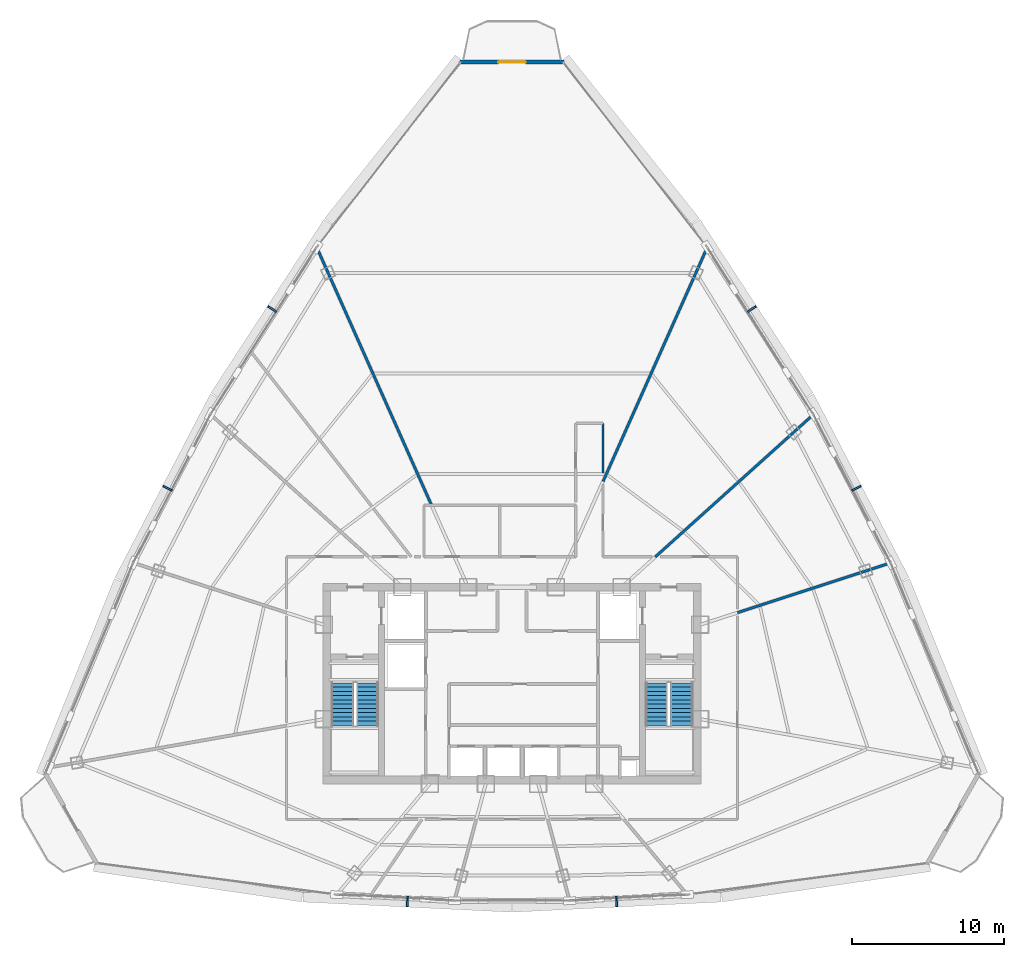
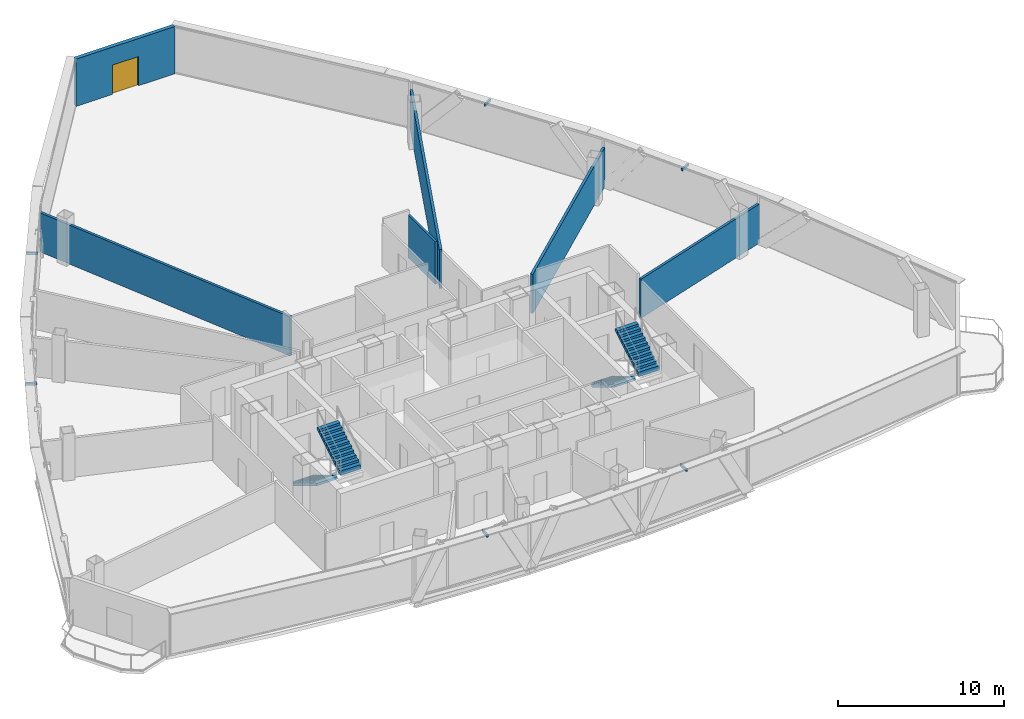
# One storey, part 32 of 35: 6 discrete accessories, 6 walls, 4 stair flights, 1 door, 1 opening, 2 elements without a shape of their own.
"""IFC4 building model written with IfcOpenShell, lengths in metres."""

import ifcopenshell
import ifcopenshell.guid

model = None  # the IFC model being written
_history = None  # IfcOwnerHistory: only IFC2X3 demands one
_inside = {}  # id of a spatial element -> (the spatial element, [elements in it])
_under = {}  # id of a project, library or spatial element -> (it, [spatial elements below it])
_declared = {}  # id of a project -> (the project, [libraries it declares])
_typed = {}  # id of a type object -> (the type object, [elements of that type])
_made_of = {}  # id of a material, layer set ... -> (it, [elements and type objects made of it])


def new_model(schema):
    """Start an empty IFC model of exactly this schema.

    Asked for "IFC4X3", IfcOpenShell would pick the latest addendum, in which some entities
    have other attributes; the version numbers below select the first issue.
    IFC2X3 requires an IfcOwnerHistory on every rooted entity: one is made here for all.
    """
    global model, _history
    if schema == "IFC4X3":
        model = ifcopenshell.file(schema_version=(4, 3, 0, 0))
    else:
        model = ifcopenshell.file(schema=schema)
    _inside.clear()
    _under.clear()
    _declared.clear()
    _typed.clear()
    _made_of.clear()
    _history = None
    if model.schema == "IFC2X3":
        org = make("IfcOrganization", Name="unknown")
        user = make(
            "IfcPersonAndOrganization",
            ThePerson=make("IfcPerson", FamilyName="unknown"),
            TheOrganization=org,
        )
        app = make(
            "IfcApplication",
            ApplicationDeveloper=org,
            Version="unknown",
            ApplicationFullName="unknown",
            ApplicationIdentifier="unknown",
        )
        _history = make(
            "IfcOwnerHistory",
            OwningUser=user,
            OwningApplication=app,
            ChangeAction="ADDED",
            CreationDate=0,
        )
    return model


def make(cls, **values):
    """One entity of the class cls with the attributes given. An attribute that is None is left unset."""
    return model.create_entity(
        cls, **{name: value for name, value in values.items() if value is not None}
    )


def rooted(cls, **values):
    """An entity with a GlobalId (a new one), such as an element, a storey or a relation."""
    return make(cls, GlobalId=ifcopenshell.guid.new(), OwnerHistory=_history, **values)


def si_unit(unit_type, name, prefix=None):
    """IfcSIUnit, for example si_unit("LENGTHUNIT", "METRE", prefix="MILLI")."""
    return make("IfcSIUnit", UnitType=unit_type, Prefix=prefix, Name=name)


def assignment(units):
    """IfcUnitAssignment: the units of a project."""
    return None if units is None else make("IfcUnitAssignment", Units=units)


def point(xyz):
    """IfcCartesianPoint."""
    return None if xyz is None else make("IfcCartesianPoint", Coordinates=xyz)


def direction(xyz):
    """IfcDirection."""
    return None if xyz is None else make("IfcDirection", DirectionRatios=xyz)


def frame(location, z_axis=None, x_axis=None):
    """IfcAxis2Placement3D, a coordinate frame: its origin and axes. An axis left out is left unset."""
    return make(
        "IfcAxis2Placement3D",
        Location=point(location),
        Axis=direction(z_axis),
        RefDirection=direction(x_axis),
    )


def frame_2d(location, x_axis=None):
    """IfcAxis2Placement2D, a coordinate frame in the plane: its origin and x axis."""
    return make(
        "IfcAxis2Placement2D", Location=point(location), RefDirection=direction(x_axis)
    )


def origin():
    """The frame at (0, 0, 0) with its axes left unset."""
    return frame((0.0, 0.0, 0.0))


def origin_with_axes():
    """The frame at (0, 0, 0) with the z axis (0, 0, 1) and the x axis (1, 0, 0) written out."""
    return frame((0.0, 0.0, 0.0), z_axis=(0.0, 0.0, 1.0), x_axis=(1.0, 0.0, 0.0))


def origin_2d():
    """The frame at (0, 0) in the plane with its x axis left unset."""
    return frame_2d((0.0, 0.0))


def place(relative_to, where):
    """IfcLocalPlacement: puts the frame where relative to a parent placement (None: the world)."""
    return make(
        "IfcLocalPlacement", PlacementRelTo=relative_to, RelativePlacement=where
    )


def context(
    kind, dimensions, precision=None, world=None, true_north=None, identifier=None
):
    """IfcGeometricRepresentationContext, for example the 3D "Model" context."""
    return make(
        "IfcGeometricRepresentationContext",
        ContextIdentifier=identifier,
        ContextType=kind,
        CoordinateSpaceDimension=dimensions,
        Precision=precision,
        WorldCoordinateSystem=world,
        TrueNorth=true_north,
    )


def subcontext(parent, identifier, kind, view, scale=None):
    """IfcGeometricRepresentationSubContext, for example "Body" below "Model"."""
    return make(
        "IfcGeometricRepresentationSubContext",
        ContextIdentifier=identifier,
        ContextType=kind,
        ParentContext=parent,
        TargetScale=scale,
        TargetView=view,
    )


def project(units=None, contexts=None):
    """IfcProject with its units and contexts."""
    return rooted(
        "IfcProject",
        Name="project",
        RepresentationContexts=contexts,
        UnitsInContext=assignment(units),
    )


def spatial(cls, under=None, at=None, **own):
    """A site, building, storey or space (cls), placed at a placement, below another one or the project."""
    s = rooted(cls, ObjectPlacement=at, **own)
    if under is not None:
        _under.setdefault(under.id(), (under, []))[1].append(s)
    return s


def polyline(points):
    """IfcPolyline through the points."""
    return make("IfcPolyline", Points=[point(p) for p in points])


def profile(cls, at=None, kind="AREA", **sizes):
    """A parametric profile (cls). Its sizes go by their IFC names, for example OverallWidth=200.0."""
    return make(cls, ProfileType=kind, Position=at, **sizes)


def rectangle(**sizes):
    """IfcRectangleProfileDef."""
    return profile("IfcRectangleProfileDef", **sizes)


def outline(outer, holes=None, kind="AREA"):
    """IfcArbitraryClosedProfileDef: a profile drawn as a closed curve; with holes, ...WithVoids."""
    if holes is None:
        return make("IfcArbitraryClosedProfileDef", ProfileType=kind, OuterCurve=outer)
    return make(
        "IfcArbitraryProfileDefWithVoids",
        ProfileType=kind,
        OuterCurve=outer,
        InnerCurves=holes,
    )


def extrude(swept, where, along, depth):
    """IfcExtrudedAreaSolid: the profile swept, set in the frame where, extruded along a direction by depth."""
    return make(
        "IfcExtrudedAreaSolid",
        SweptArea=swept,
        Position=where,
        ExtrudedDirection=direction(along),
        Depth=depth,
    )


def shape(context_of_items, identifier, shape_type, items):
    """IfcShapeRepresentation: the items that make up one representation, for example the "Body"."""
    return make(
        "IfcShapeRepresentation",
        ContextOfItems=context_of_items,
        RepresentationIdentifier=identifier,
        RepresentationType=shape_type,
        Items=items,
    )


def source(mapping_origin, context_of_items, identifier, shape_type, items):
    """IfcRepresentationMap: a shape defined once, which mapped items show again and again."""
    return make(
        "IfcRepresentationMap",
        MappingOrigin=mapping_origin,
        MappedRepresentation=shape(context_of_items, identifier, shape_type, items),
    )


def transform(
    local_origin,
    x_axis=None,
    y_axis=None,
    z_axis=None,
    scale=None,
    scale2=None,
    scale3=None,
    uniform=True,
):
    """IfcCartesianTransformationOperator3D, or its non-uniform kind. x_axis, y_axis, z_axis: its Axis1, 2, 3."""
    if uniform:
        return make(
            "IfcCartesianTransformationOperator3D",
            Axis1=direction(x_axis),
            Axis2=direction(y_axis),
            LocalOrigin=point(local_origin),
            Scale=scale,
            Axis3=direction(z_axis),
        )
    return make(
        "IfcCartesianTransformationOperator3DnonUniform",
        Axis1=direction(x_axis),
        Axis2=direction(y_axis),
        LocalOrigin=point(local_origin),
        Scale=scale,
        Axis3=direction(z_axis),
        Scale2=scale2,
        Scale3=scale3,
    )


def mapped(mapping_source, mapping_target):
    """IfcMappedItem: shows the shape of a source again, moved by a transform."""
    return make(
        "IfcMappedItem", MappingSource=mapping_source, MappingTarget=mapping_target
    )


def material(Name=None, Category=None):
    """IfcMaterial."""
    return make("IfcMaterial", Name=Name, Category=Category)


def layer(
    of_material, thickness, ventilated=None, Name=None, Category=None, Priority=None
):
    """IfcMaterialLayer: one layer of a wall or slab, of a material (None: an air gap)."""
    return make(
        "IfcMaterialLayer",
        Material=of_material,
        LayerThickness=thickness,
        IsVentilated=ventilated,
        Name=Name,
        Category=Category,
        Priority=Priority,
    )


def layer_set(layers, Name=None):
    """IfcMaterialLayerSet."""
    return make("IfcMaterialLayerSet", MaterialLayers=layers, LayerSetName=Name)


def made_of(thing, what):
    """Note that an element or type object is made of a material, layer set ...; save() writes the relation."""
    if what is not None:
        _made_of.setdefault(what.id(), (what, []))[1].append(thing)
    return thing


def type_object(cls, material=None, **own):
    """A type object (cls), such as IfcWallType, which elements share."""
    return made_of(rooted(cls, **own), material)


def element(
    cls,
    number,
    at=None,
    inside=None,
    cuts=None,
    type_object=None,
    material=None,
    context=None,
    identifier="Body",
    shape_type=None,
    held_by="IfcProductDefinitionShape",
    body=None,
    shapes=None,
    **own,
):
    """One element of the class cls, such as IfcWall. Its Tag is "e" and its number.

    at: its placement. inside: the storey or other place that contains it. cuts: it is an
    opening in that element (IfcRelVoidsElement). A single representation is given by context,
    identifier, shape_type and body (its items); several are given by shapes. held_by: the class
    of the entity that holds the representations. save() writes the other relations.
    """
    e = rooted(cls, Tag="e%d" % number, ObjectPlacement=at, **own)
    if body is not None:
        shapes = [shape(context, identifier, shape_type, body)]
    if shapes is not None:
        e.Representation = make(held_by, Representations=shapes)
    if inside is not None:
        _inside.setdefault(inside.id(), (inside, []))[1].append(e)
    if cuts is not None:
        rooted(
            "IfcRelVoidsElement", RelatingBuildingElement=cuts, RelatedOpeningElement=e
        )
    if type_object is not None:
        _typed.setdefault(type_object.id(), (type_object, []))[1].append(e)
    return made_of(e, material)


def fill(opening, filler):
    """IfcRelFillsElement: the door or window that sits in an opening."""
    return rooted(
        "IfcRelFillsElement",
        RelatingOpeningElement=opening,
        RelatedBuildingElement=filler,
    )


def aggregate(whole, parts):
    """IfcRelAggregates: a whole, such as a stair, and the parts it consists of."""
    return rooted("IfcRelAggregates", RelatingObject=whole, RelatedObjects=parts)


def save(model, path):
    """Write the relations noted so far, then the file.

    IfcRelAggregates (storeys below a building ...), IfcRelContainedInSpatialStructure (elements
    in a storey), IfcRelDefinesByType, IfcRelAssociatesMaterial and IfcRelDeclares: one each for
    every whole, place, type object, material and project.
    """
    for whole, parts in _under.values():
        aggregate(whole, parts)
    for where, things in _inside.values():
        rooted(
            "IfcRelContainedInSpatialStructure",
            RelatedElements=things,
            RelatingStructure=where,
        )
    for kind, things in _typed.values():
        rooted("IfcRelDefinesByType", RelatedObjects=things, RelatingType=kind)
    for what, things in _made_of.values():
        rooted("IfcRelAssociatesMaterial", RelatedObjects=things, RelatingMaterial=what)
    for by, libraries in _declared.values():
        rooted("IfcRelDeclares", RelatingContext=by, RelatedDefinitions=libraries)
    model.write(path)


model = new_model("IFC4")

# Units and contexts
model_context = context("Model", 3, precision=1e-05, world=origin(), true_north=direction((0.0, 1.0)))
body_context = subcontext(model_context, "Body", "Model", "MODEL_VIEW")
ifc_project = project(units=[si_unit("LENGTHUNIT", "METRE"), si_unit("AREAUNIT", "SQUARE_METRE"), si_unit("VOLUMEUNIT", "CUBIC_METRE"), si_unit("PLANEANGLEUNIT", "RADIAN"), si_unit("MASSUNIT", "GRAM", prefix="KILO"), si_unit("THERMODYNAMICTEMPERATUREUNIT", "KELVIN"), si_unit("POWERUNIT", "WATT")], contexts=[model_context])

# Site, building, storey
site_placement = place(None, origin())
site = spatial("IfcSite", under=ifc_project, at=site_placement, CompositionType="ELEMENT")
building_placement = place(site_placement, origin())
building = spatial("IfcBuilding", under=site, at=building_placement, Name="Yunzhuo Pagoda Commons", CompositionType="ELEMENT")
storey_placement = place(building_placement, frame((0.0, 0.0, 303.669921875)))
storey = spatial("IfcBuildingStorey", under=building, at=storey_placement, Name="L76", CompositionType="ELEMENT", Elevation=303.669921875)

# Wall, opening, door
ifc_material_1 = material(Name="Precast concrete C40", Category="concrete")
ifc_layer_1 = layer(ifc_material_1, 0.260009765625)
ifc_layer_set_1 = layer_set([ifc_layer_1], Name="Precast concrete C40")
wall_type_1 = type_object("IfcWallType", Name="W-BAL1 Corner Balcony Threshold Wall 260", PredefinedType="STANDARD", material=ifc_layer_set_1)
wall_1_placement = place(storey_placement, frame((51.437744140625, 74.7880859375, 0.0), z_axis=(0.0, 0.0, 1.0), x_axis=(-1.0, 0.0, 0.0)))
wall_1 = element("IfcWall", 1, at=wall_1_placement, inside=storey, type_object=wall_type_1, Name="L76 corner balcony wall V3", PredefinedType="STANDARD", context=body_context, shape_type="SweptSolid", body=[
    extrude(rectangle(XDim=6.87548828125, YDim=0.260009765625, at=frame_2d((3.437744140625, 0.0))), origin(), (0.0, 0.0, 1.0), 3.469970703125),
])
opening_placement = place(wall_1_placement, frame((2.537841796875, 0.0, 0.0)))
opening = element("IfcOpeningElement", 2, at=opening_placement, cuts=wall_1, Name="Opening D-BAL1", PredefinedType="OPENING", context=body_context, shape_type="SweptSolid", body=[
    extrude(rectangle(XDim=1.800048828125, YDim=2.14990234375, at=frame_2d((0.89990234375, 1.074951171875))), frame((0.0, 0.14013671875, 0.0), z_axis=(0.0, -1.0, 0.0), x_axis=(1.0, 0.0, 0.0)), (0.0, 0.0, 1.0), 0.280029296875),
])
ifc_material_2 = material(Name="Anodized aluminium frame and tempered glazed leaf", Category="aluminium")
door_type = type_object("IfcDoorType", Name="D-BAL1 Corner Balcony Sliding Glazed Door 1800x2150", OperationType="DOUBLE_DOOR_SLIDING", PredefinedType="DOOR", material=ifc_material_2)
shared_shape_1 = source(origin(), body_context, "Body", "SweptSolid", [
    extrude(rectangle(XDim=1.800048828125, YDim=2.14990234375, at=frame_2d((0.89990234375, 1.074951171875))), frame((0.0, 0.02490234375, 0.0), z_axis=(0.0, -1.0, 0.0), x_axis=(1.0, 0.0, 0.0)), (0.0, 0.0, 1.0), 0.050048828125),
])
door_placement = place(opening_placement, origin_with_axes())
door = element("IfcDoor", 3, at=door_placement, inside=storey, type_object=door_type, Name="L76 corner balcony sliding door V3", OperationType="DOUBLE_DOOR_SLIDING", OverallHeight=2.14990234375, OverallWidth=1.800048828125, PredefinedType="DOOR", context=body_context, shape_type="MappedRepresentation", body=[
    mapped(shared_shape_1, transform((0.0, 0.0, 0.0), scale=1.0)),
])
fill(opening, door)

# Walls
ifc_material_3 = material(Name="Gypsum plasterboard on acoustic stud")
ifc_layer_2 = layer(ifc_material_3, 0.14990234375)
ifc_layer_set_2 = layer_set([ifc_layer_2], Name="Gypsum plasterboard on acoustic stud")
wall_type_2 = type_object("IfcWallType", Name="W-COR3 High-Zone Rated Corridor Wall 150", PredefinedType="PARTITIONING", material=ifc_layer_set_2)
wall_2_placement = place(storey_placement, frame((54.0, 51.0, 0.0), z_axis=(0.0, 0.0, 1.0), x_axis=(0.0, -1.0, 0.0)))
element("IfcWall", 4, at=wall_2_placement, inside=storey, type_object=wall_type_2, Name="L76 interior wall IW-L76-CWL09", PredefinedType="PARTITIONING", context=body_context, shape_type="SweptSolid", body=[
    extrude(rectangle(XDim=3.282958984375, YDim=0.14990234375, at=frame_2d((1.6416015625, 0.0))), origin(), (0.0, 0.0, 1.0), 3.1201171875),
])
ifc_layer_3 = layer(ifc_material_3, 0.169921875)
ifc_layer_set_3 = layer_set([ifc_layer_3], Name="Gypsum plasterboard on acoustic stud")
wall_type_3 = type_object("IfcWallType", Name="W-PRT4 High-Zone Demising Wall 170", PredefinedType="PARTITIONING", material=ifc_layer_set_3)
wall_3_placement = place(storey_placement, frame((62.85009765625, 38.525146484375, 0.0), z_axis=(0.0, 0.0, 1.0), x_axis=(0.951060589798, 0.309004457141, 0.0)))
element("IfcWall", 5, at=wall_3_placement, inside=storey, type_object=wall_type_3, Name="L76 interior wall IW-L76-RAD01", PredefinedType="PARTITIONING", context=body_context, shape_type="SweptSolid", body=[
    extrude(rectangle(XDim=10.61962890625, YDim=0.169921875, at=frame_2d((5.309814453125, 0.0))), origin(), (0.0, 0.0, 1.0), 2.8701171875),
])
wall_4_placement = place(storey_placement, frame((57.440185546875, 42.199951171875, 0.0), z_axis=(0.0, 0.0, 1.0), x_axis=(0.74314439151, 0.669131088329, 0.0)))
element("IfcWall", 6, at=wall_4_placement, inside=storey, type_object=wall_type_3, Name="L76 interior wall IW-L76-RAD02", PredefinedType="PARTITIONING", context=body_context, shape_type="SweptSolid", body=[
    extrude(rectangle(XDim=14.025634765625, YDim=0.169921875, at=frame_2d((7.0126953125, 0.0))), origin(), (0.0, 0.0, 1.0), 2.8701171875),
])
wall_5_placement = place(storey_placement, frame((54.0, 47.17626953125, 0.0), z_axis=(0.0, 0.0, 1.0), x_axis=(0.406741029061, 0.913543504863, 0.0)))
element("IfcWall", 7, at=wall_5_placement, inside=storey, type_object=wall_type_3, Name="L76 interior wall IW-L76-RAD03", PredefinedType="PARTITIONING", context=body_context, shape_type="SweptSolid", body=[
    extrude(rectangle(XDim=16.876953125, YDim=0.169921875, at=frame_2d((8.4384765625, 0.0))), origin(), (0.0, 0.0, 1.0), 2.8701171875),
])
wall_6_placement = place(storey_placement, frame((42.701904296875, 45.60009765625, 0.0), z_axis=(0.0, 0.0, 1.0), x_axis=(-0.406747233578, 0.913540742374, 0.0)))
element("IfcWall", 8, at=wall_6_placement, inside=storey, type_object=wall_type_3, Name="L76 interior wall IW-L76-RAD04", PredefinedType="PARTITIONING", context=body_context, shape_type="SweptSolid", body=[
    extrude(rectangle(XDim=18.602294921875, YDim=0.169921875, at=frame_2d((9.30126953125, 0.0))), origin(), (0.0, 0.0, 1.0), 2.8701171875),
])

# Stair, stair flights
ifc_material_4 = material(Name="Concrete C40", Category="concrete")
stair_type_1 = type_object("IfcStairType", Name="ST-C1 Core Smokeproof Stair ST1", PredefinedType="HALF_TURN_STAIR", material=ifc_material_4)
stair_1_placement = place(storey_placement, origin())
stair_1 = element("IfcStair", 9, at=stair_1_placement, inside=storey, type_object=stair_type_1, Name="L76 Core smokeproof stair ST1", PredefinedType="HALF_TURN_STAIR")
stair_flight_type_1 = type_object("IfcStairFlightType", Name="STF-C1 Core Stair Flight 1450", PredefinedType="STRAIGHT", material=ifc_material_4)
shared_shape_2 = source(origin(), body_context, "Body", "SweptSolid", [
    extrude(outline(polyline([(0.0, -0.14990234375), (0.0, 0.0), (0.0, 0.16943359375), (0.280029296875, 0.16943359375), (0.280029296875, 0.339111328125), (0.56005859375, 0.339111328125), (0.56005859375, 0.508544921875), (0.840087890625, 0.508544921875), (0.840087890625, 0.67822265625), (1.1201171875, 0.67822265625), (1.1201171875, 0.84765625), (1.39990234375, 0.84765625), (1.39990234375, 1.017333984375), (1.679931640625, 1.017333984375), (1.679931640625, 1.186767578125), (1.9599609375, 1.186767578125), (1.9599609375, 1.3564453125), (2.239990234375, 1.3564453125), (2.239990234375, 1.52587890625), (2.52001953125, 1.52587890625), (2.52001953125, 1.695556640625), (2.800048828125, 1.695556640625), (2.800048828125, 1.864990234375), (2.800048828125, 1.520263671875), (0.289306640625, 0.0), (0.050048828125, -0.14990234375), (0.0, -0.14990234375)])), frame((0.0, 0.72509765625, 0.0), z_axis=(0.0, -1.0, 0.0), x_axis=(1.0, 0.0, 0.0)), (0.0, 0.0, 1.0), 1.449951171875),
])
stair_flight_1_placement = place(storey_placement, frame((36.824951171875, 33.89990234375, 0.0), z_axis=(0.0, 0.0, 1.0), x_axis=(0.0, -1.0, 0.0)))
stair_flight_1 = element("IfcStairFlight", 10, at=stair_flight_1_placement, type_object=stair_flight_type_1, Name="ST1 flight 1", NumberOfRisers=11, NumberOfTreads=10, PredefinedType="STRAIGHT", RiserHeight=0.169545455, TreadLength=0.28, context=body_context, shape_type="MappedRepresentation", body=[
    mapped(shared_shape_2, transform((0.0, 0.0, 0.0), scale=1.0)),
])
stair_flight_2_placement = place(storey_placement, frame((38.47509765625, 31.10009765625, 1.864990234375), z_axis=(0.0, 0.0, 1.0), x_axis=(0.0, 1.0, 0.0)))
stair_flight_2 = element("IfcStairFlight", 11, at=stair_flight_2_placement, type_object=stair_flight_type_1, Name="ST1 flight 2", NumberOfRisers=11, NumberOfTreads=10, PredefinedType="STRAIGHT", RiserHeight=0.169545455, TreadLength=0.28, context=body_context, shape_type="MappedRepresentation", body=[
    mapped(shared_shape_2, transform((0.0, 0.0, 0.0), scale=1.0)),
])
aggregate(stair_1, [stair_flight_1, stair_flight_2])

stair_type_2 = type_object("IfcStairType", Name="ST-C2 Core Smokeproof Stair ST2", PredefinedType="HALF_TURN_STAIR", material=ifc_material_4)
stair_2_placement = place(storey_placement, origin())
stair_2 = element("IfcStair", 12, at=stair_2_placement, inside=storey, type_object=stair_type_2, Name="L76 Core smokeproof stair ST2", PredefinedType="HALF_TURN_STAIR")
stair_flight_type_2 = type_object("IfcStairFlightType", Name="STF-C2 Core Stair Flight 1460", PredefinedType="STRAIGHT", material=ifc_material_4)
stair_flight_3_placement = place(storey_placement, frame((57.52490234375, 33.89990234375, 0.0), z_axis=(0.0, 0.0, 1.0), x_axis=(0.0, -1.0, 0.0)))
stair_flight_3 = element("IfcStairFlight", 13, at=stair_flight_3_placement, type_object=stair_flight_type_2, Name="ST2 flight 1", NumberOfRisers=11, NumberOfTreads=10, PredefinedType="STRAIGHT", RiserHeight=0.169545455, TreadLength=0.28, context=body_context, shape_type="MappedRepresentation", body=[
    mapped(shared_shape_2, transform((0.0, 0.0, 0.0), scale=1.0)),
])
stair_flight_4_placement = place(storey_placement, frame((59.175048828125, 31.10009765625, 1.864990234375), z_axis=(0.0, 0.0, 1.0), x_axis=(0.0, 1.0, 0.0)))
stair_flight_4 = element("IfcStairFlight", 14, at=stair_flight_4_placement, type_object=stair_flight_type_2, Name="ST2 flight 2", NumberOfRisers=11, NumberOfTreads=10, PredefinedType="STRAIGHT", RiserHeight=0.169545455, TreadLength=0.28, context=body_context, shape_type="MappedRepresentation", body=[
    mapped(shared_shape_2, transform((0.0, 0.0, 0.0), scale=1.0)),
])
aggregate(stair_2, [stair_flight_3, stair_flight_4])

# Discrete accessories
ifc_material_5 = material(Name="Anodized aluminium 6063-T6", Category="aluminium")
discrete_accessory_type = type_object("IfcDiscreteAccessoryType", Name="BK-SUN1 Sunshade Outrigger Bracket", PredefinedType="BRACKET", material=ifc_material_5)
shared_shape_3 = source(origin(), body_context, "Body", "SweptSolid", [
    extrude(rectangle(XDim=0.1201171875, YDim=0.679931640625, at=origin_2d()), origin(), (0.0, 0.0, 1.0), 0.179931640625),
])
for number, where, z_axis, x_axis, name in (
    (15, (41.108642578125, 19.49169921875, 3.26025390625), (0.0, 0.0, 1.0), (0.998818043775, -0.04860571396, 0.0), "L76 sunshade outrigger bracket F1.2"),
    (16, (54.891357421875, 19.49169921875, 3.26025390625), (0.0, 0.0, 1.0), (0.998818043775, 0.04860571396, 0.0), "L76 sunshade outrigger bracket F1.3"),
    (17, (70.694091796875, 46.71923828125, 3.26025390625), (0.0, 0.0, 1.0), (-0.461206683033, 0.88729273384, 0.0), "L76 sunshade outrigger bracket F2.2"),
    (18, (63.802490234375, 58.525390625, 3.26025390625), (0.0, 0.0, 1.0), (-0.545853380833, 0.837880711458, 0.0), "L76 sunshade outrigger bracket F2.3"),
    (19, (32.197509765625, 58.525390625, 3.26025390625), (0.0, 0.0, 1.0), (-0.545853380833, -0.837880711458, 0.0), "L76 sunshade outrigger bracket F3.2"),
    (20, (25.305908203125, 46.71923828125, 3.26025390625), (0.0, 0.0, 1.0), (-0.461206683033, -0.88729273384, 0.0), "L76 sunshade outrigger bracket F3.3"),
):
    element("IfcDiscreteAccessory", number, at=place(storey_placement, frame(where, z_axis=z_axis, x_axis=x_axis)), inside=storey, type_object=discrete_accessory_type, Name=name, PredefinedType="BRACKET", context=body_context, shape_type="MappedRepresentation", body=[
        mapped(shared_shape_3, transform((0.0, 0.0, 0.0), scale=1.0)),
    ])

save(model, "model.ifc")
